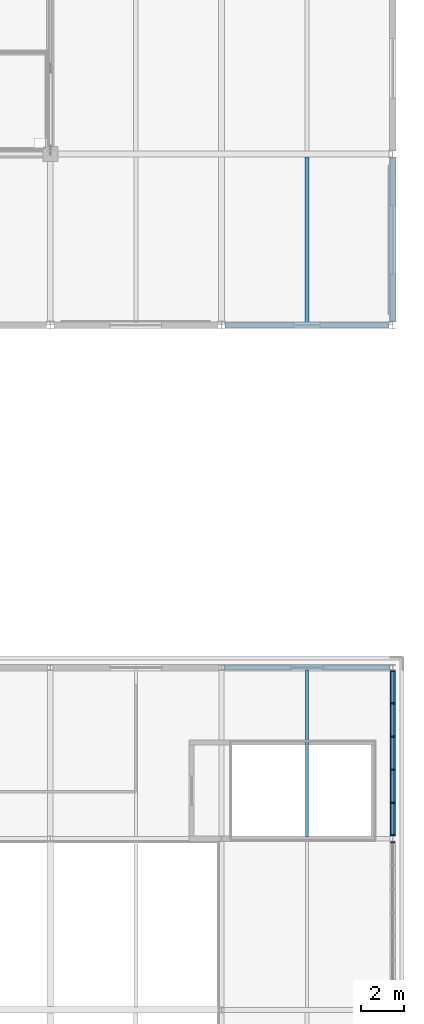
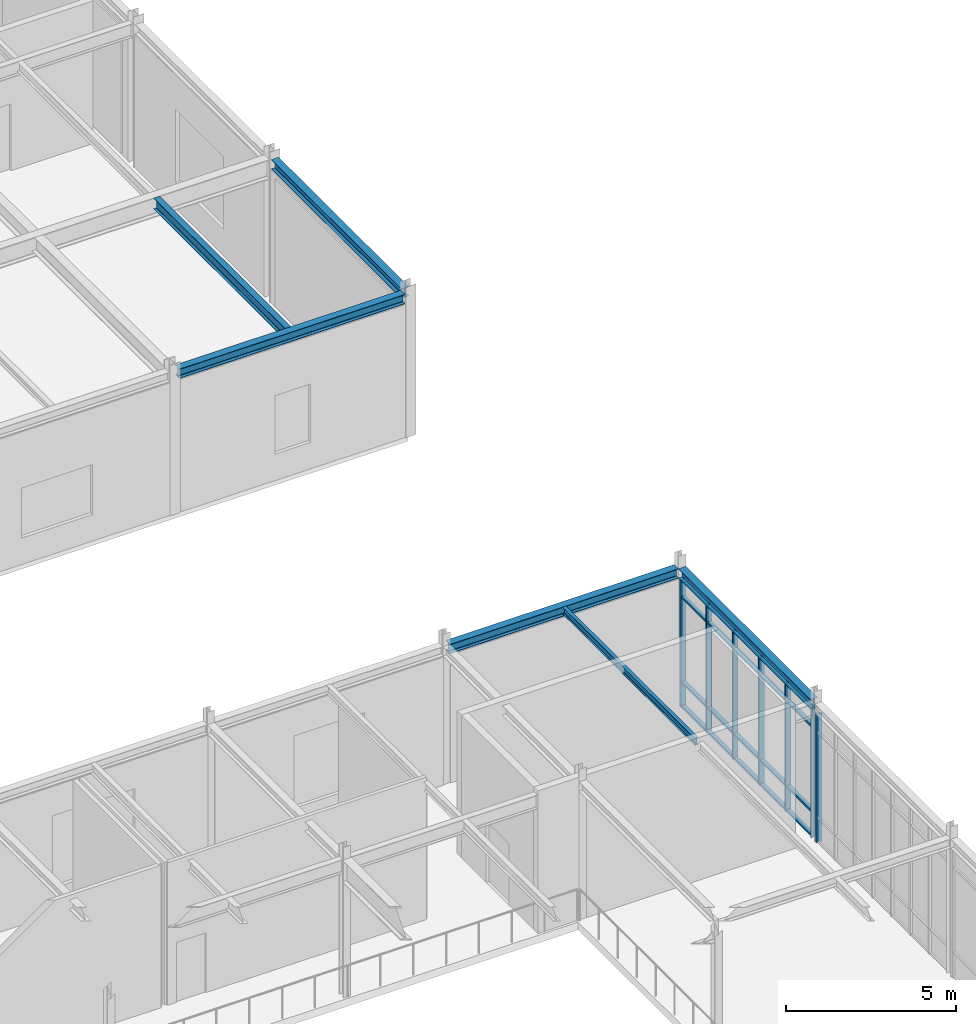
# One storey, part 56 of 108: 27 members, 6 beams, 2 elements without a shape of their own.
"""IFC4 building model written with IfcOpenShell, lengths in metres."""

import ifcopenshell
import ifcopenshell.guid

model = None  # the IFC model being written
_history = None  # IfcOwnerHistory: only IFC2X3 demands one
_inside = {}  # id of a spatial element -> (the spatial element, [elements in it])
_under = {}  # id of a project, library or spatial element -> (it, [spatial elements below it])
_declared = {}  # id of a project -> (the project, [libraries it declares])
_typed = {}  # id of a type object -> (the type object, [elements of that type])
_made_of = {}  # id of a material, layer set ... -> (it, [elements and type objects made of it])


def new_model(schema):
    """Start an empty IFC model of exactly this schema.

    Asked for "IFC4X3", IfcOpenShell would pick the latest addendum, in which some entities
    have other attributes; the version numbers below select the first issue.
    IFC2X3 requires an IfcOwnerHistory on every rooted entity: one is made here for all.
    """
    global model, _history
    if schema == "IFC4X3":
        model = ifcopenshell.file(schema_version=(4, 3, 0, 0))
    else:
        model = ifcopenshell.file(schema=schema)
    _inside.clear()
    _under.clear()
    _declared.clear()
    _typed.clear()
    _made_of.clear()
    _history = None
    if model.schema == "IFC2X3":
        org = make("IfcOrganization", Name="unknown")
        user = make(
            "IfcPersonAndOrganization",
            ThePerson=make("IfcPerson", FamilyName="unknown"),
            TheOrganization=org,
        )
        app = make(
            "IfcApplication",
            ApplicationDeveloper=org,
            Version="unknown",
            ApplicationFullName="unknown",
            ApplicationIdentifier="unknown",
        )
        _history = make(
            "IfcOwnerHistory",
            OwningUser=user,
            OwningApplication=app,
            ChangeAction="ADDED",
            CreationDate=0,
        )
    return model


def make(cls, **values):
    """One entity of the class cls with the attributes given. An attribute that is None is left unset."""
    return model.create_entity(
        cls, **{name: value for name, value in values.items() if value is not None}
    )


def rooted(cls, **values):
    """An entity with a GlobalId (a new one), such as an element, a storey or a relation."""
    return make(cls, GlobalId=ifcopenshell.guid.new(), OwnerHistory=_history, **values)


def si_unit(unit_type, name, prefix=None):
    """IfcSIUnit, for example si_unit("LENGTHUNIT", "METRE", prefix="MILLI")."""
    return make("IfcSIUnit", UnitType=unit_type, Prefix=prefix, Name=name)


def assignment(units):
    """IfcUnitAssignment: the units of a project."""
    return None if units is None else make("IfcUnitAssignment", Units=units)


def point(xyz):
    """IfcCartesianPoint."""
    return None if xyz is None else make("IfcCartesianPoint", Coordinates=xyz)


def direction(xyz):
    """IfcDirection."""
    return None if xyz is None else make("IfcDirection", DirectionRatios=xyz)


def frame(location, z_axis=None, x_axis=None):
    """IfcAxis2Placement3D, a coordinate frame: its origin and axes. An axis left out is left unset."""
    return make(
        "IfcAxis2Placement3D",
        Location=point(location),
        Axis=direction(z_axis),
        RefDirection=direction(x_axis),
    )


def frame_2d(location, x_axis=None):
    """IfcAxis2Placement2D, a coordinate frame in the plane: its origin and x axis."""
    return make(
        "IfcAxis2Placement2D", Location=point(location), RefDirection=direction(x_axis)
    )


def origin():
    """The frame at (0, 0, 0) with its axes left unset."""
    return frame((0.0, 0.0, 0.0))


def origin_2d():
    """The frame at (0, 0) in the plane with its x axis left unset."""
    return frame_2d((0.0, 0.0))


def place(relative_to, where):
    """IfcLocalPlacement: puts the frame where relative to a parent placement (None: the world)."""
    return make(
        "IfcLocalPlacement", PlacementRelTo=relative_to, RelativePlacement=where
    )


def context(
    kind, dimensions, precision=None, world=None, true_north=None, identifier=None
):
    """IfcGeometricRepresentationContext, for example the 3D "Model" context."""
    return make(
        "IfcGeometricRepresentationContext",
        ContextIdentifier=identifier,
        ContextType=kind,
        CoordinateSpaceDimension=dimensions,
        Precision=precision,
        WorldCoordinateSystem=world,
        TrueNorth=true_north,
    )


def subcontext(parent, identifier, kind, view, scale=None):
    """IfcGeometricRepresentationSubContext, for example "Body" below "Model"."""
    return make(
        "IfcGeometricRepresentationSubContext",
        ContextIdentifier=identifier,
        ContextType=kind,
        ParentContext=parent,
        TargetScale=scale,
        TargetView=view,
    )


def project(units=None, contexts=None):
    """IfcProject with its units and contexts."""
    return rooted(
        "IfcProject",
        Name="project",
        RepresentationContexts=contexts,
        UnitsInContext=assignment(units),
    )


def spatial(cls, under=None, at=None, **own):
    """A site, building, storey or space (cls), placed at a placement, below another one or the project."""
    s = rooted(cls, ObjectPlacement=at, **own)
    if under is not None:
        _under.setdefault(under.id(), (under, []))[1].append(s)
    return s


def profile(cls, at=None, kind="AREA", **sizes):
    """A parametric profile (cls). Its sizes go by their IFC names, for example OverallWidth=200.0."""
    return make(cls, ProfileType=kind, Position=at, **sizes)


def rectangle(**sizes):
    """IfcRectangleProfileDef."""
    return profile("IfcRectangleProfileDef", **sizes)


def i_section(**sizes):
    """IfcIShapeProfileDef."""
    return profile("IfcIShapeProfileDef", **sizes)


def extrude(swept, where, along, depth):
    """IfcExtrudedAreaSolid: the profile swept, set in the frame where, extruded along a direction by depth."""
    return make(
        "IfcExtrudedAreaSolid",
        SweptArea=swept,
        Position=where,
        ExtrudedDirection=direction(along),
        Depth=depth,
    )


def shape(context_of_items, identifier, shape_type, items):
    """IfcShapeRepresentation: the items that make up one representation, for example the "Body"."""
    return make(
        "IfcShapeRepresentation",
        ContextOfItems=context_of_items,
        RepresentationIdentifier=identifier,
        RepresentationType=shape_type,
        Items=items,
    )


def material(Name=None, Category=None):
    """IfcMaterial."""
    return make("IfcMaterial", Name=Name, Category=Category)


def material_profile(
    of_material, cross_section, Name=None, Category=None, Priority=None
):
    """IfcMaterialProfile: a cross section and its material."""
    return make(
        "IfcMaterialProfile",
        Name=Name,
        Material=of_material,
        Profile=cross_section,
        Priority=Priority,
        Category=Category,
    )


def profile_set(profiles, Name=None, composite=None):
    """IfcMaterialProfileSet."""
    return make(
        "IfcMaterialProfileSet",
        Name=Name,
        MaterialProfiles=profiles,
        CompositeProfile=composite,
    )


def made_of(thing, what):
    """Note that an element or type object is made of a material, layer set ...; save() writes the relation."""
    if what is not None:
        _made_of.setdefault(what.id(), (what, []))[1].append(thing)
    return thing


def type_object(cls, material=None, **own):
    """A type object (cls), such as IfcWallType, which elements share."""
    return made_of(rooted(cls, **own), material)


def element(
    cls,
    number,
    at=None,
    inside=None,
    cuts=None,
    type_object=None,
    material=None,
    context=None,
    identifier="Body",
    shape_type=None,
    held_by="IfcProductDefinitionShape",
    body=None,
    shapes=None,
    **own,
):
    """One element of the class cls, such as IfcWall. Its Tag is "e" and its number.

    at: its placement. inside: the storey or other place that contains it. cuts: it is an
    opening in that element (IfcRelVoidsElement). A single representation is given by context,
    identifier, shape_type and body (its items); several are given by shapes. held_by: the class
    of the entity that holds the representations. save() writes the other relations.
    """
    e = rooted(cls, Tag="e%d" % number, ObjectPlacement=at, **own)
    if body is not None:
        shapes = [shape(context, identifier, shape_type, body)]
    if shapes is not None:
        e.Representation = make(held_by, Representations=shapes)
    if inside is not None:
        _inside.setdefault(inside.id(), (inside, []))[1].append(e)
    if cuts is not None:
        rooted(
            "IfcRelVoidsElement", RelatingBuildingElement=cuts, RelatedOpeningElement=e
        )
    if type_object is not None:
        _typed.setdefault(type_object.id(), (type_object, []))[1].append(e)
    return made_of(e, material)


def aggregate(whole, parts):
    """IfcRelAggregates: a whole, such as a stair, and the parts it consists of."""
    return rooted("IfcRelAggregates", RelatingObject=whole, RelatedObjects=parts)


def save(model, path):
    """Write the relations noted so far, then the file.

    IfcRelAggregates (storeys below a building ...), IfcRelContainedInSpatialStructure (elements
    in a storey), IfcRelDefinesByType, IfcRelAssociatesMaterial and IfcRelDeclares: one each for
    every whole, place, type object, material and project.
    """
    for whole, parts in _under.values():
        aggregate(whole, parts)
    for where, things in _inside.values():
        rooted(
            "IfcRelContainedInSpatialStructure",
            RelatedElements=things,
            RelatingStructure=where,
        )
    for kind, things in _typed.values():
        rooted("IfcRelDefinesByType", RelatedObjects=things, RelatingType=kind)
    for what, things in _made_of.values():
        rooted("IfcRelAssociatesMaterial", RelatedObjects=things, RelatingMaterial=what)
    for by, libraries in _declared.values():
        rooted("IfcRelDeclares", RelatingContext=by, RelatedDefinitions=libraries)
    model.write(path)


model = new_model("IFC4")

# Units and contexts
model_context = context("Model", 3, precision=1e-05, world=origin(), true_north=direction((0.0, 1.0)))
body_context = subcontext(model_context, "Body", "Model", "MODEL_VIEW")
ifc_project = project(units=[si_unit("LENGTHUNIT", "METRE"), si_unit("AREAUNIT", "SQUARE_METRE"), si_unit("VOLUMEUNIT", "CUBIC_METRE"), si_unit("PLANEANGLEUNIT", "RADIAN"), si_unit("MASSUNIT", "GRAM", prefix="KILO")], contexts=[model_context])

# Site, building, storey
site_placement = place(None, origin())
site = spatial("IfcSite", under=ifc_project, at=site_placement, CompositionType="ELEMENT")
building_placement = place(site_placement, origin())
building = spatial("IfcBuilding", under=site, at=building_placement, Name="Zhaolan Boulevard Law Courts", CompositionType="ELEMENT")
storey_placement = place(building_placement, frame((0.0, 0.0, 10.800048828125)))
storey = spatial("IfcBuildingStorey", under=building, at=storey_placement, Name="L02", CompositionType="ELEMENT", Elevation=10.800048828125)

# Curtain wall, member
ifc_material_1 = material(Name="Thermally broken aluminium and low-E glazing", Category="aluminium")
curtain_wall_type_1 = type_object("IfcCurtainWallType", Name="CURTAIN WALL M18", PredefinedType="USERDEFINED", material=ifc_material_1)
curtain_wall_1_placement = place(storey_placement, origin())
curtain_wall_1 = element("IfcCurtainWall", 1, at=curtain_wall_1_placement, inside=storey, type_object=curtain_wall_type_1, Name="Curtain Wall CW-L02-090", ObjectType="CURTAIN WALL", PredefinedType="USERDEFINED")
ifc_material_2 = material(Name="Fluorocarbon-coated aluminium 6063-T6", Category="aluminium")
ifc_material_profile_1 = material_profile(ifc_material_2, rectangle(XDim=0.179931640625, YDim=0.06494140625, at=origin_2d()), Name="AL65x180")
ifc_profile_set_1 = profile_set([ifc_material_profile_1], Name="Fluorocarbon-coated aluminium 6063-T6")
member_type_1 = type_object("IfcMemberType", Name="CWMULLION 65X180", PredefinedType="MULLION", material=ifc_profile_set_1)
member_1_placement = place(storey_placement, frame((164.0, 37.840576171875, 0.0), z_axis=(0.0, 0.0, 1.0), x_axis=(-1.0, 0.0, 0.0)))
member_1 = element("IfcMember", 2, at=member_1_placement, type_object=member_type_1, Name="CW-L02-090 mullion 8", PredefinedType="MULLION", context=body_context, shape_type="SweptSolid", body=[
    extrude(rectangle(XDim=0.179931640625, YDim=0.06494140625, at=origin_2d()), origin(), (0.0, 0.0, 1.0), 4.60302734375),
])
aggregate(curtain_wall_1, [member_1])

# Curtain wall, members
ifc_material_3 = material(Name="Thermally broken aluminium and low-E glazing", Category="aluminium")
curtain_wall_type_2 = type_object("IfcCurtainWallType", Name="CURTAIN WALL M19", PredefinedType="USERDEFINED", material=ifc_material_3)
curtain_wall_2_placement = place(storey_placement, origin())
curtain_wall_2 = element("IfcCurtainWall", 3, at=curtain_wall_2_placement, inside=storey, type_object=curtain_wall_type_2, Name="Curtain Wall CW-L02-091", ObjectType="CURTAIN WALL", PredefinedType="USERDEFINED")
member_2_placement = place(storey_placement, frame((164.0, 38.159423828125, 0.0), z_axis=(0.0, 0.0, 1.0), x_axis=(-1.0, 0.0, 0.0)))
member_2 = element("IfcMember", 4, at=member_2_placement, type_object=member_type_1, Name="CW-L02-091 mullion 1", PredefinedType="MULLION", context=body_context, shape_type="SweptSolid", body=[
    extrude(rectangle(XDim=0.179931640625, YDim=0.06494140625, at=origin_2d()), origin(), (0.0, 0.0, 1.0), 4.60302734375),
])
member_3_placement = place(storey_placement, frame((164.0, 39.67626953125, 0.0), z_axis=(0.0, 0.0, 1.0), x_axis=(-1.0, 0.0, 0.0)))
member_3 = element("IfcMember", 5, at=member_3_placement, type_object=member_type_1, Name="CW-L02-091 mullion 2", PredefinedType="MULLION", context=body_context, shape_type="SweptSolid", body=[
    extrude(rectangle(XDim=0.179931640625, YDim=0.06494140625, at=origin_2d()), origin(), (0.0, 0.0, 1.0), 4.60302734375),
])
member_4_placement = place(storey_placement, frame((164.0, 41.225341796875, 0.0), z_axis=(0.0, 0.0, 1.0), x_axis=(-1.0, 0.0, 0.0)))
member_4 = element("IfcMember", 6, at=member_4_placement, type_object=member_type_1, Name="CW-L02-091 mullion 3", PredefinedType="MULLION", context=body_context, shape_type="SweptSolid", body=[
    extrude(rectangle(XDim=0.179931640625, YDim=0.06494140625, at=origin_2d()), origin(), (0.0, 0.0, 1.0), 4.60302734375),
])
member_5_placement = place(storey_placement, frame((164.0, 42.774658203125, 0.0), z_axis=(0.0, 0.0, 1.0), x_axis=(-1.0, 0.0, 0.0)))
member_5 = element("IfcMember", 7, at=member_5_placement, type_object=member_type_1, Name="CW-L02-091 mullion 4", PredefinedType="MULLION", context=body_context, shape_type="SweptSolid", body=[
    extrude(rectangle(XDim=0.179931640625, YDim=0.06494140625, at=origin_2d()), origin(), (0.0, 0.0, 1.0), 4.60302734375),
])
member_6_placement = place(storey_placement, frame((164.0, 44.32373046875, 0.0), z_axis=(0.0, 0.0, 1.0), x_axis=(-1.0, 0.0, 0.0)))
member_6 = element("IfcMember", 8, at=member_6_placement, type_object=member_type_1, Name="CW-L02-091 mullion 5", PredefinedType="MULLION", context=body_context, shape_type="SweptSolid", body=[
    extrude(rectangle(XDim=0.179931640625, YDim=0.06494140625, at=origin_2d()), origin(), (0.0, 0.0, 1.0), 4.60302734375),
])
member_7_placement = place(storey_placement, frame((164.0, 45.840576171875, 0.0), z_axis=(0.0, 0.0, 1.0), x_axis=(-1.0, 0.0, 0.0)))
member_7 = element("IfcMember", 9, at=member_7_placement, type_object=member_type_1, Name="CW-L02-091 mullion 6", PredefinedType="MULLION", context=body_context, shape_type="SweptSolid", body=[
    extrude(rectangle(XDim=0.179931640625, YDim=0.06494140625, at=origin_2d()), origin(), (0.0, 0.0, 1.0), 4.60302734375),
])
ifc_material_4 = material(Name="Fluorocarbon-coated aluminium 6063-T6", Category="aluminium")
ifc_material_profile_2 = material_profile(ifc_material_4, rectangle(XDim=0.139892578125, YDim=0.06494140625, at=origin_2d()), Name="AL65x140")
ifc_profile_set_2 = profile_set([ifc_material_profile_2], Name="Fluorocarbon-coated aluminium 6063-T6")
member_type_2 = type_object("IfcMemberType", Name="CWTRANSOM 65X140", PredefinedType="USERDEFINED", material=ifc_profile_set_2)
member_8_placement = place(storey_placement, frame((164.0, 38.19189453125, 0.032470703125), z_axis=(0.0, 1.0, 0.0), x_axis=(-1.0, 0.0, 0.0)))
member_8 = element("IfcMember", 10, at=member_8_placement, type_object=member_type_2, Name="CW-L02-091 transom 1.1", ObjectType="TRANSOM", PredefinedType="USERDEFINED", context=body_context, shape_type="SweptSolid", body=[
    extrude(rectangle(XDim=0.139892578125, YDim=0.06494140625, at=origin_2d()), origin(), (0.0, 0.0, 1.0), 1.451904296875),
])
member_9_placement = place(storey_placement, frame((164.0, 38.19189453125, 0.89990234375), z_axis=(0.0, 1.0, 0.0), x_axis=(-1.0, 0.0, 0.0)))
member_9 = element("IfcMember", 11, at=member_9_placement, type_object=member_type_2, Name="CW-L02-091 transom 1.2", ObjectType="TRANSOM", PredefinedType="USERDEFINED", context=body_context, shape_type="SweptSolid", body=[
    extrude(rectangle(XDim=0.139892578125, YDim=0.06494140625, at=origin_2d()), origin(), (0.0, 0.0, 1.0), 1.451904296875),
])
member_10_placement = place(storey_placement, frame((164.0, 38.19189453125, 3.952880859375), z_axis=(0.0, 1.0, 0.0), x_axis=(-1.0, 0.0, 0.0)))
member_10 = element("IfcMember", 12, at=member_10_placement, type_object=member_type_2, Name="CW-L02-091 transom 1.3", ObjectType="TRANSOM", PredefinedType="USERDEFINED", context=body_context, shape_type="SweptSolid", body=[
    extrude(rectangle(XDim=0.139892578125, YDim=0.06494140625, at=origin_2d()), origin(), (0.0, 0.0, 1.0), 1.451904296875),
])
member_11_placement = place(storey_placement, frame((164.0, 38.19189453125, 4.570556640625), z_axis=(0.0, 1.0, 0.0), x_axis=(-1.0, 0.0, 0.0)))
member_11 = element("IfcMember", 13, at=member_11_placement, type_object=member_type_2, Name="CW-L02-091 transom 1.4", ObjectType="TRANSOM", PredefinedType="USERDEFINED", context=body_context, shape_type="SweptSolid", body=[
    extrude(rectangle(XDim=0.139892578125, YDim=0.06494140625, at=origin_2d()), origin(), (0.0, 0.0, 1.0), 1.451904296875),
])
member_12_placement = place(storey_placement, frame((164.0, 39.708740234375, 0.032470703125), z_axis=(0.0, 1.0, 0.0), x_axis=(-1.0, 0.0, 0.0)))
member_12 = element("IfcMember", 14, at=member_12_placement, type_object=member_type_2, Name="CW-L02-091 transom 2.1", ObjectType="TRANSOM", PredefinedType="USERDEFINED", context=body_context, shape_type="SweptSolid", body=[
    extrude(rectangle(XDim=0.139892578125, YDim=0.06494140625, at=origin_2d()), origin(), (0.0, 0.0, 1.0), 1.484130859375),
])
member_13_placement = place(storey_placement, frame((164.0, 39.708740234375, 0.89990234375), z_axis=(0.0, 1.0, 0.0), x_axis=(-1.0, 0.0, 0.0)))
member_13 = element("IfcMember", 15, at=member_13_placement, type_object=member_type_2, Name="CW-L02-091 transom 2.2", ObjectType="TRANSOM", PredefinedType="USERDEFINED", context=body_context, shape_type="SweptSolid", body=[
    extrude(rectangle(XDim=0.139892578125, YDim=0.06494140625, at=origin_2d()), origin(), (0.0, 0.0, 1.0), 1.484130859375),
])
member_14_placement = place(storey_placement, frame((164.0, 39.708740234375, 3.952880859375), z_axis=(0.0, 1.0, 0.0), x_axis=(-1.0, 0.0, 0.0)))
member_14 = element("IfcMember", 16, at=member_14_placement, type_object=member_type_2, Name="CW-L02-091 transom 2.3", ObjectType="TRANSOM", PredefinedType="USERDEFINED", context=body_context, shape_type="SweptSolid", body=[
    extrude(rectangle(XDim=0.139892578125, YDim=0.06494140625, at=origin_2d()), origin(), (0.0, 0.0, 1.0), 1.484130859375),
])
member_15_placement = place(storey_placement, frame((164.0, 39.708740234375, 4.570556640625), z_axis=(0.0, 1.0, 0.0), x_axis=(-1.0, 0.0, 0.0)))
member_15 = element("IfcMember", 17, at=member_15_placement, type_object=member_type_2, Name="CW-L02-091 transom 2.4", ObjectType="TRANSOM", PredefinedType="USERDEFINED", context=body_context, shape_type="SweptSolid", body=[
    extrude(rectangle(XDim=0.139892578125, YDim=0.06494140625, at=origin_2d()), origin(), (0.0, 0.0, 1.0), 1.484130859375),
])
member_16_placement = place(storey_placement, frame((164.0, 41.2578125, 0.032470703125), z_axis=(0.0, 1.0, 0.0), x_axis=(-1.0, 0.0, 0.0)))
member_16 = element("IfcMember", 18, at=member_16_placement, type_object=member_type_2, Name="CW-L02-091 transom 3.1", ObjectType="TRANSOM", PredefinedType="USERDEFINED", context=body_context, shape_type="SweptSolid", body=[
    extrude(rectangle(XDim=0.139892578125, YDim=0.06494140625, at=origin_2d()), origin(), (0.0, 0.0, 1.0), 1.484375),
])
member_17_placement = place(storey_placement, frame((164.0, 41.2578125, 0.89990234375), z_axis=(0.0, 1.0, 0.0), x_axis=(-1.0, 0.0, 0.0)))
member_17 = element("IfcMember", 19, at=member_17_placement, type_object=member_type_2, Name="CW-L02-091 transom 3.2", ObjectType="TRANSOM", PredefinedType="USERDEFINED", context=body_context, shape_type="SweptSolid", body=[
    extrude(rectangle(XDim=0.139892578125, YDim=0.06494140625, at=origin_2d()), origin(), (0.0, 0.0, 1.0), 1.484375),
])
member_18_placement = place(storey_placement, frame((164.0, 41.2578125, 3.952880859375), z_axis=(0.0, 1.0, 0.0), x_axis=(-1.0, 0.0, 0.0)))
member_18 = element("IfcMember", 20, at=member_18_placement, type_object=member_type_2, Name="CW-L02-091 transom 3.3", ObjectType="TRANSOM", PredefinedType="USERDEFINED", context=body_context, shape_type="SweptSolid", body=[
    extrude(rectangle(XDim=0.139892578125, YDim=0.06494140625, at=origin_2d()), origin(), (0.0, 0.0, 1.0), 1.484375),
])
member_19_placement = place(storey_placement, frame((164.0, 41.2578125, 4.570556640625), z_axis=(0.0, 1.0, 0.0), x_axis=(-1.0, 0.0, 0.0)))
member_19 = element("IfcMember", 21, at=member_19_placement, type_object=member_type_2, Name="CW-L02-091 transom 3.4", ObjectType="TRANSOM", PredefinedType="USERDEFINED", context=body_context, shape_type="SweptSolid", body=[
    extrude(rectangle(XDim=0.139892578125, YDim=0.06494140625, at=origin_2d()), origin(), (0.0, 0.0, 1.0), 1.484375),
])
member_20_placement = place(storey_placement, frame((164.0, 42.80712890625, 0.032470703125), z_axis=(0.0, 1.0, 0.0), x_axis=(-1.0, 0.0, 0.0)))
member_20 = element("IfcMember", 22, at=member_20_placement, type_object=member_type_2, Name="CW-L02-091 transom 4.1", ObjectType="TRANSOM", PredefinedType="USERDEFINED", context=body_context, shape_type="SweptSolid", body=[
    extrude(rectangle(XDim=0.139892578125, YDim=0.06494140625, at=origin_2d()), origin(), (0.0, 0.0, 1.0), 1.484130859375),
])
member_21_placement = place(storey_placement, frame((164.0, 42.80712890625, 0.89990234375), z_axis=(0.0, 1.0, 0.0), x_axis=(-1.0, 0.0, 0.0)))
member_21 = element("IfcMember", 23, at=member_21_placement, type_object=member_type_2, Name="CW-L02-091 transom 4.2", ObjectType="TRANSOM", PredefinedType="USERDEFINED", context=body_context, shape_type="SweptSolid", body=[
    extrude(rectangle(XDim=0.139892578125, YDim=0.06494140625, at=origin_2d()), origin(), (0.0, 0.0, 1.0), 1.484130859375),
])
member_22_placement = place(storey_placement, frame((164.0, 42.80712890625, 3.952880859375), z_axis=(0.0, 1.0, 0.0), x_axis=(-1.0, 0.0, 0.0)))
member_22 = element("IfcMember", 24, at=member_22_placement, type_object=member_type_2, Name="CW-L02-091 transom 4.3", ObjectType="TRANSOM", PredefinedType="USERDEFINED", context=body_context, shape_type="SweptSolid", body=[
    extrude(rectangle(XDim=0.139892578125, YDim=0.06494140625, at=origin_2d()), origin(), (0.0, 0.0, 1.0), 1.484130859375),
])
member_23_placement = place(storey_placement, frame((164.0, 42.80712890625, 4.570556640625), z_axis=(0.0, 1.0, 0.0), x_axis=(-1.0, 0.0, 0.0)))
member_23 = element("IfcMember", 25, at=member_23_placement, type_object=member_type_2, Name="CW-L02-091 transom 4.4", ObjectType="TRANSOM", PredefinedType="USERDEFINED", context=body_context, shape_type="SweptSolid", body=[
    extrude(rectangle(XDim=0.139892578125, YDim=0.06494140625, at=origin_2d()), origin(), (0.0, 0.0, 1.0), 1.484130859375),
])
member_24_placement = place(storey_placement, frame((164.0, 44.356201171875, 0.032470703125), z_axis=(0.0, 1.0, 0.0), x_axis=(-1.0, 0.0, 0.0)))
member_24 = element("IfcMember", 26, at=member_24_placement, type_object=member_type_2, Name="CW-L02-091 transom 5.1", ObjectType="TRANSOM", PredefinedType="USERDEFINED", context=body_context, shape_type="SweptSolid", body=[
    extrude(rectangle(XDim=0.139892578125, YDim=0.06494140625, at=origin_2d()), origin(), (0.0, 0.0, 1.0), 1.451904296875),
])
member_25_placement = place(storey_placement, frame((164.0, 44.356201171875, 0.89990234375), z_axis=(0.0, 1.0, 0.0), x_axis=(-1.0, 0.0, 0.0)))
member_25 = element("IfcMember", 27, at=member_25_placement, type_object=member_type_2, Name="CW-L02-091 transom 5.2", ObjectType="TRANSOM", PredefinedType="USERDEFINED", context=body_context, shape_type="SweptSolid", body=[
    extrude(rectangle(XDim=0.139892578125, YDim=0.06494140625, at=origin_2d()), origin(), (0.0, 0.0, 1.0), 1.451904296875),
])
member_26_placement = place(storey_placement, frame((164.0, 44.356201171875, 3.952880859375), z_axis=(0.0, 1.0, 0.0), x_axis=(-1.0, 0.0, 0.0)))
member_26 = element("IfcMember", 28, at=member_26_placement, type_object=member_type_2, Name="CW-L02-091 transom 5.3", ObjectType="TRANSOM", PredefinedType="USERDEFINED", context=body_context, shape_type="SweptSolid", body=[
    extrude(rectangle(XDim=0.139892578125, YDim=0.06494140625, at=origin_2d()), origin(), (0.0, 0.0, 1.0), 1.451904296875),
])
member_27_placement = place(storey_placement, frame((164.0, 44.356201171875, 4.570556640625), z_axis=(0.0, 1.0, 0.0), x_axis=(-1.0, 0.0, 0.0)))
member_27 = element("IfcMember", 29, at=member_27_placement, type_object=member_type_2, Name="CW-L02-091 transom 5.4", ObjectType="TRANSOM", PredefinedType="USERDEFINED", context=body_context, shape_type="SweptSolid", body=[
    extrude(rectangle(XDim=0.139892578125, YDim=0.06494140625, at=origin_2d()), origin(), (0.0, 0.0, 1.0), 1.451904296875),
])
aggregate(curtain_wall_2, [member_2, member_3, member_4, member_5, member_6, member_7, member_8, member_9, member_10, member_11, member_12, member_13, member_14, member_15, member_16, member_17, member_18, member_19, member_20, member_21, member_22, member_23, member_24, member_25, member_26, member_27])

# Beams
ifc_material_5 = material(Name="Structural steel Q355B", Category="steel")
ifc_material_profile_3 = material_profile(ifc_material_5, i_section(OverallWidth=0.25, OverallDepth=0.340087890625, WebThickness=0.009033203125, FlangeThickness=0.013916015625, FilletRadius=0.01611328125, at=origin_2d()), Name="HM340x250")
ifc_profile_set_3 = profile_set([ifc_material_profile_3], Name="Structural steel Q355B")
beam_type_1 = type_object("IfcBeamType", Name="GIRDER HM340", PredefinedType="BEAM", material=ifc_profile_set_3)
beam_1_placement = place(storey_placement, frame((164.0, 38.12109375, 4.787841796875), z_axis=(0.0, 1.0, 0.0), x_axis=(-1.0, 0.0, 0.0)))
element("IfcBeam", 30, at=beam_1_placement, inside=storey, type_object=beam_type_1, Name="Beam BY-L03-21-F-G", PredefinedType="BEAM", context=body_context, shape_type="SweptSolid", body=[
    extrude(i_section(OverallWidth=0.25, OverallDepth=0.340087890625, WebThickness=0.009033203125, FlangeThickness=0.013916015625, FilletRadius=0.01611328125, at=origin_2d()), origin(), (0.0, 0.0, 1.0), 7.7578125),
])
beam_2_placement = place(storey_placement, frame((164.0, 62.1708984375, 4.947998046875), z_axis=(0.0, 1.0, 0.0), x_axis=(-1.0, 0.0, 0.0)))
element("IfcBeam", 31, at=beam_2_placement, inside=storey, type_object=beam_type_1, Name="Beam BY-L03-21-J-K", PredefinedType="BEAM", context=body_context, shape_type="SweptSolid", body=[
    extrude(i_section(OverallWidth=0.25, OverallDepth=0.340087890625, WebThickness=0.009033203125, FlangeThickness=0.013916015625, FilletRadius=0.01611328125, at=origin_2d()), origin(), (0.0, 0.0, 1.0), 7.658203125),
])
ifc_material_6 = material(Name="Structural steel Q355B", Category="steel")
ifc_material_profile_4 = material_profile(ifc_material_6, i_section(OverallWidth=0.125, OverallDepth=0.25, WebThickness=0.006103515625, FlangeThickness=0.009033203125, FilletRadius=0.010009765625, at=origin_2d()), Name="HN250x125")
ifc_profile_set_4 = profile_set([ifc_material_profile_4], Name="Structural steel Q355B")
beam_type_2 = type_object("IfcBeamType", Name="JOIST HN250", PredefinedType="JOIST", material=ifc_profile_set_4)
beam_3_placement = place(storey_placement, frame((160.0, 38.095947265625, 4.8330078125), z_axis=(0.0, 1.0, 0.0), x_axis=(-1.0, 0.0, 0.0)))
element("IfcBeam", 32, at=beam_3_placement, inside=storey, type_object=beam_type_2, Name="Composite Joist J-L03-20F", PredefinedType="JOIST", context=body_context, shape_type="SweptSolid", body=[
    extrude(i_section(OverallWidth=0.125, OverallDepth=0.25, WebThickness=0.006103515625, FlangeThickness=0.009033203125, FilletRadius=0.010009765625, at=origin_2d()), origin(), (0.0, 0.0, 1.0), 7.782958984375),
])
ifc_material_7 = material(Name="Structural steel Q355B", Category="steel")
ifc_material_profile_5 = material_profile(ifc_material_7, i_section(OverallWidth=0.199951171875, OverallDepth=0.39990234375, WebThickness=0.008056640625, FlangeThickness=0.012939453125, FilletRadius=0.013916015625, at=origin_2d()), Name="HN400x200")
ifc_profile_set_5 = profile_set([ifc_material_profile_5], Name="Structural steel Q355B")
beam_type_3 = type_object("IfcBeamType", Name="JOIST HN400", PredefinedType="JOIST", material=ifc_profile_set_5)
beam_4_placement = place(storey_placement, frame((160.0, 62.12109375, 4.91796875), z_axis=(0.0, 1.0, 0.0), x_axis=(-1.0, 0.0, 0.0)))
element("IfcBeam", 33, at=beam_4_placement, inside=storey, type_object=beam_type_3, Name="Composite Joist J-L03-20J", PredefinedType="JOIST", context=body_context, shape_type="SweptSolid", body=[
    extrude(i_section(OverallWidth=0.199951171875, OverallDepth=0.39990234375, WebThickness=0.008056640625, FlangeThickness=0.012939453125, FilletRadius=0.013916015625, at=origin_2d()), origin(), (0.0, 0.0, 1.0), 7.73291015625),
])
ifc_material_8 = material(Name="Structural steel Q355B", Category="steel")
ifc_material_profile_6 = material_profile(ifc_material_8, i_section(OverallWidth=0.25, OverallDepth=0.340087890625, WebThickness=0.009033203125, FlangeThickness=0.013916015625, FilletRadius=0.01611328125, at=origin_2d()), Name="HM340x250")
ifc_profile_set_6 = profile_set([ifc_material_profile_6], Name="Structural steel Q355B")
beam_type_4 = type_object("IfcBeamType", Name="SPANDREL HM340", PredefinedType="SPANDREL", material=ifc_profile_set_6)
beam_5_placement = place(storey_placement, frame((156.12109375, 46.0, 4.787841796875), z_axis=(1.0, 0.0, 0.0), x_axis=(0.0, 1.0, 0.0)))
element("IfcBeam", 34, at=beam_5_placement, inside=storey, type_object=beam_type_4, Name="Beam BX-L03-20-21-G", PredefinedType="SPANDREL", context=body_context, shape_type="SweptSolid", body=[
    extrude(i_section(OverallWidth=0.25, OverallDepth=0.340087890625, WebThickness=0.009033203125, FlangeThickness=0.013916015625, FilletRadius=0.01611328125, at=origin_2d()), origin(), (0.0, 0.0, 1.0), 7.7578125),
])
beam_6_placement = place(storey_placement, frame((156.1708984375, 62.0, 4.947998046875), z_axis=(1.0, 0.0, 0.0), x_axis=(0.0, 1.0, 0.0)))
element("IfcBeam", 35, at=beam_6_placement, inside=storey, type_object=beam_type_4, Name="Beam BX-L03-20-21-J", PredefinedType="SPANDREL", context=body_context, shape_type="SweptSolid", body=[
    extrude(i_section(OverallWidth=0.25, OverallDepth=0.340087890625, WebThickness=0.009033203125, FlangeThickness=0.013916015625, FilletRadius=0.01611328125, at=origin_2d()), origin(), (0.0, 0.0, 1.0), 7.658203125),
])

save(model, "model.ifc")
